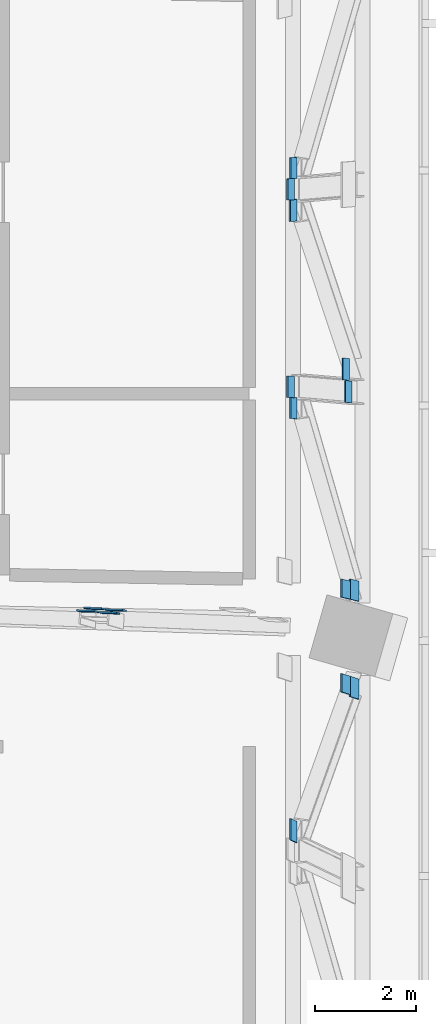
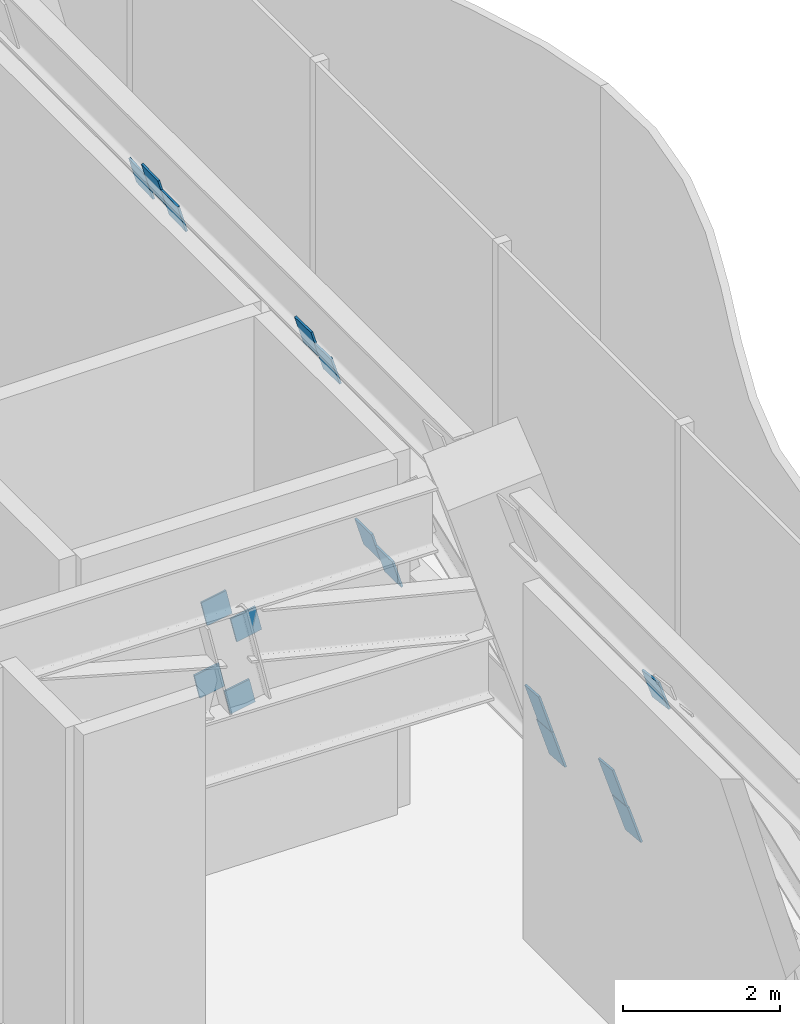
# One storey, part 22 of 32: 16 discrete accessories.
"""IFC4 building model written with IfcOpenShell, lengths in metres."""

import ifcopenshell
import ifcopenshell.guid

model = None  # the IFC model being written
_history = None  # IfcOwnerHistory: only IFC2X3 demands one
_inside = {}  # id of a spatial element -> (the spatial element, [elements in it])
_under = {}  # id of a project, library or spatial element -> (it, [spatial elements below it])
_declared = {}  # id of a project -> (the project, [libraries it declares])
_typed = {}  # id of a type object -> (the type object, [elements of that type])
_made_of = {}  # id of a material, layer set ... -> (it, [elements and type objects made of it])


def new_model(schema):
    """Start an empty IFC model of exactly this schema.

    Asked for "IFC4X3", IfcOpenShell would pick the latest addendum, in which some entities
    have other attributes; the version numbers below select the first issue.
    IFC2X3 requires an IfcOwnerHistory on every rooted entity: one is made here for all.
    """
    global model, _history
    if schema == "IFC4X3":
        model = ifcopenshell.file(schema_version=(4, 3, 0, 0))
    else:
        model = ifcopenshell.file(schema=schema)
    _inside.clear()
    _under.clear()
    _declared.clear()
    _typed.clear()
    _made_of.clear()
    _history = None
    if model.schema == "IFC2X3":
        org = make("IfcOrganization", Name="unknown")
        user = make(
            "IfcPersonAndOrganization",
            ThePerson=make("IfcPerson", FamilyName="unknown"),
            TheOrganization=org,
        )
        app = make(
            "IfcApplication",
            ApplicationDeveloper=org,
            Version="unknown",
            ApplicationFullName="unknown",
            ApplicationIdentifier="unknown",
        )
        _history = make(
            "IfcOwnerHistory",
            OwningUser=user,
            OwningApplication=app,
            ChangeAction="ADDED",
            CreationDate=0,
        )
    return model


def make(cls, **values):
    """One entity of the class cls with the attributes given. An attribute that is None is left unset."""
    return model.create_entity(
        cls, **{name: value for name, value in values.items() if value is not None}
    )


def rooted(cls, **values):
    """An entity with a GlobalId (a new one), such as an element, a storey or a relation."""
    return make(cls, GlobalId=ifcopenshell.guid.new(), OwnerHistory=_history, **values)


def si_unit(unit_type, name, prefix=None):
    """IfcSIUnit, for example si_unit("LENGTHUNIT", "METRE", prefix="MILLI")."""
    return make("IfcSIUnit", UnitType=unit_type, Prefix=prefix, Name=name)


def assignment(units):
    """IfcUnitAssignment: the units of a project."""
    return None if units is None else make("IfcUnitAssignment", Units=units)


def point(xyz):
    """IfcCartesianPoint."""
    return None if xyz is None else make("IfcCartesianPoint", Coordinates=xyz)


def direction(xyz):
    """IfcDirection."""
    return None if xyz is None else make("IfcDirection", DirectionRatios=xyz)


def frame(location, z_axis=None, x_axis=None):
    """IfcAxis2Placement3D, a coordinate frame: its origin and axes. An axis left out is left unset."""
    return make(
        "IfcAxis2Placement3D",
        Location=point(location),
        Axis=direction(z_axis),
        RefDirection=direction(x_axis),
    )


def frame_2d(location, x_axis=None):
    """IfcAxis2Placement2D, a coordinate frame in the plane: its origin and x axis."""
    return make(
        "IfcAxis2Placement2D", Location=point(location), RefDirection=direction(x_axis)
    )


def origin():
    """The frame at (0, 0, 0) with its axes left unset."""
    return frame((0.0, 0.0, 0.0))


def origin_2d():
    """The frame at (0, 0) in the plane with its x axis left unset."""
    return frame_2d((0.0, 0.0))


def place(relative_to, where):
    """IfcLocalPlacement: puts the frame where relative to a parent placement (None: the world)."""
    return make(
        "IfcLocalPlacement", PlacementRelTo=relative_to, RelativePlacement=where
    )


def context(
    kind, dimensions, precision=None, world=None, true_north=None, identifier=None
):
    """IfcGeometricRepresentationContext, for example the 3D "Model" context."""
    return make(
        "IfcGeometricRepresentationContext",
        ContextIdentifier=identifier,
        ContextType=kind,
        CoordinateSpaceDimension=dimensions,
        Precision=precision,
        WorldCoordinateSystem=world,
        TrueNorth=true_north,
    )


def subcontext(parent, identifier, kind, view, scale=None):
    """IfcGeometricRepresentationSubContext, for example "Body" below "Model"."""
    return make(
        "IfcGeometricRepresentationSubContext",
        ContextIdentifier=identifier,
        ContextType=kind,
        ParentContext=parent,
        TargetScale=scale,
        TargetView=view,
    )


def project(units=None, contexts=None):
    """IfcProject with its units and contexts."""
    return rooted(
        "IfcProject",
        Name="project",
        RepresentationContexts=contexts,
        UnitsInContext=assignment(units),
    )


def spatial(cls, under=None, at=None, **own):
    """A site, building, storey or space (cls), placed at a placement, below another one or the project."""
    s = rooted(cls, ObjectPlacement=at, **own)
    if under is not None:
        _under.setdefault(under.id(), (under, []))[1].append(s)
    return s


def profile(cls, at=None, kind="AREA", **sizes):
    """A parametric profile (cls). Its sizes go by their IFC names, for example OverallWidth=200.0."""
    return make(cls, ProfileType=kind, Position=at, **sizes)


def rectangle(**sizes):
    """IfcRectangleProfileDef."""
    return profile("IfcRectangleProfileDef", **sizes)


def extrude(swept, where, along, depth):
    """IfcExtrudedAreaSolid: the profile swept, set in the frame where, extruded along a direction by depth."""
    return make(
        "IfcExtrudedAreaSolid",
        SweptArea=swept,
        Position=where,
        ExtrudedDirection=direction(along),
        Depth=depth,
    )


def shape(context_of_items, identifier, shape_type, items):
    """IfcShapeRepresentation: the items that make up one representation, for example the "Body"."""
    return make(
        "IfcShapeRepresentation",
        ContextOfItems=context_of_items,
        RepresentationIdentifier=identifier,
        RepresentationType=shape_type,
        Items=items,
    )


def material(Name=None, Category=None):
    """IfcMaterial."""
    return make("IfcMaterial", Name=Name, Category=Category)


def layer(
    of_material, thickness, ventilated=None, Name=None, Category=None, Priority=None
):
    """IfcMaterialLayer: one layer of a wall or slab, of a material (None: an air gap)."""
    return make(
        "IfcMaterialLayer",
        Material=of_material,
        LayerThickness=thickness,
        IsVentilated=ventilated,
        Name=Name,
        Category=Category,
        Priority=Priority,
    )


def layer_set(layers, Name=None):
    """IfcMaterialLayerSet."""
    return make("IfcMaterialLayerSet", MaterialLayers=layers, LayerSetName=Name)


def made_of(thing, what):
    """Note that an element or type object is made of a material, layer set ...; save() writes the relation."""
    if what is not None:
        _made_of.setdefault(what.id(), (what, []))[1].append(thing)
    return thing


def type_object(cls, material=None, **own):
    """A type object (cls), such as IfcWallType, which elements share."""
    return made_of(rooted(cls, **own), material)


def element(
    cls,
    number,
    at=None,
    inside=None,
    cuts=None,
    type_object=None,
    material=None,
    context=None,
    identifier="Body",
    shape_type=None,
    held_by="IfcProductDefinitionShape",
    body=None,
    shapes=None,
    **own,
):
    """One element of the class cls, such as IfcWall. Its Tag is "e" and its number.

    at: its placement. inside: the storey or other place that contains it. cuts: it is an
    opening in that element (IfcRelVoidsElement). A single representation is given by context,
    identifier, shape_type and body (its items); several are given by shapes. held_by: the class
    of the entity that holds the representations. save() writes the other relations.
    """
    e = rooted(cls, Tag="e%d" % number, ObjectPlacement=at, **own)
    if body is not None:
        shapes = [shape(context, identifier, shape_type, body)]
    if shapes is not None:
        e.Representation = make(held_by, Representations=shapes)
    if inside is not None:
        _inside.setdefault(inside.id(), (inside, []))[1].append(e)
    if cuts is not None:
        rooted(
            "IfcRelVoidsElement", RelatingBuildingElement=cuts, RelatedOpeningElement=e
        )
    if type_object is not None:
        _typed.setdefault(type_object.id(), (type_object, []))[1].append(e)
    return made_of(e, material)


def aggregate(whole, parts):
    """IfcRelAggregates: a whole, such as a stair, and the parts it consists of."""
    return rooted("IfcRelAggregates", RelatingObject=whole, RelatedObjects=parts)


def save(model, path):
    """Write the relations noted so far, then the file.

    IfcRelAggregates (storeys below a building ...), IfcRelContainedInSpatialStructure (elements
    in a storey), IfcRelDefinesByType, IfcRelAssociatesMaterial and IfcRelDeclares: one each for
    every whole, place, type object, material and project.
    """
    for whole, parts in _under.values():
        aggregate(whole, parts)
    for where, things in _inside.values():
        rooted(
            "IfcRelContainedInSpatialStructure",
            RelatedElements=things,
            RelatingStructure=where,
        )
    for kind, things in _typed.values():
        rooted("IfcRelDefinesByType", RelatedObjects=things, RelatingType=kind)
    for what, things in _made_of.values():
        rooted("IfcRelAssociatesMaterial", RelatedObjects=things, RelatingMaterial=what)
    for by, libraries in _declared.values():
        rooted("IfcRelDeclares", RelatingContext=by, RelatedDefinitions=libraries)
    model.write(path)


model = new_model("IFC4")

# Units and contexts
model_context = context("Model", 3, precision=1e-05, world=origin(), true_north=direction((0.0, 1.0)))
body_context = subcontext(model_context, "Body", "Model", "MODEL_VIEW")
ifc_project = project(units=[si_unit("LENGTHUNIT", "METRE"), si_unit("AREAUNIT", "SQUARE_METRE"), si_unit("VOLUMEUNIT", "CUBIC_METRE"), si_unit("PLANEANGLEUNIT", "RADIAN"), si_unit("MASSUNIT", "GRAM", prefix="KILO")], contexts=[model_context])

# Site, building, storey
site_placement = place(None, origin())
site = spatial("IfcSite", under=ifc_project, at=site_placement, CompositionType="ELEMENT")
building_placement = place(site_placement, origin())
building = spatial("IfcBuilding", under=site, at=building_placement, Name="Mopane Tessera Tower", CompositionType="ELEMENT")
storey_placement = place(building_placement, frame((0.0, 0.0, 88.60009765625)))
storey = spatial("IfcBuildingStorey", under=building, at=storey_placement, Name="L17", CompositionType="ELEMENT", Elevation=88.60009765625)

# Discrete accessories
ifc_material = material(Name="Structural steel S460", Category="steel")
ifc_layer = layer(ifc_material, 0.030029296875)
ifc_layer_set = layer_set([ifc_layer], Name="Structural steel S460")
discrete_accessory_type = type_object("IfcDiscreteAccessoryType", Name="Truss node plate 30 mm", PredefinedType="BRACKET", material=ifc_layer_set)
discrete_accessory_1_placement = place(storey_placement, frame((24.2578125, -6.424072265625, 3.30126953125), z_axis=(-0.194937042554, 0.055416885007, 0.97924895624), x_axis=(0.041294831885, 0.997980986414, -0.048256477438)))
element("IfcDiscreteAccessory", 1, at=discrete_accessory_1_placement, inside=storey, type_object=discrete_accessory_type, Name="Truss node plate s ot L17 E1 11", PredefinedType="BRACKET", context=body_context, shape_type="SweptSolid", body=[
    extrude(rectangle(XDim=0.030029296875, YDim=0.36669921875, at=origin_2d()), origin(), (0.0, 0.0, 1.0), 0.37451171875),
])
discrete_accessory_2_placement = place(storey_placement, frame((24.69189453125, -6.456787109375, 2.924560546875), z_axis=(-0.201167185437, 0.057941357618, 0.977841788113), x_axis=(0.045412794113, 0.997727377512, -0.04977708603)))
element("IfcDiscreteAccessory", 2, at=discrete_accessory_2_placement, inside=storey, type_object=discrete_accessory_type, Name="Truss node plate s ot L17 E1 12", PredefinedType="BRACKET", context=body_context, shape_type="SweptSolid", body=[
    extrude(rectangle(XDim=0.030029296875, YDim=0.36669921875, at=origin_2d()), origin(), (0.0, 0.0, 1.0), 0.375),
])
discrete_accessory_3_placement = place(storey_placement, frame((24.396728515625, -6.372314453125, 4.356689453125), z_axis=(-0.201612073021, 0.057327394565, 0.977786347749), x_axis=(0.042030756872, 0.997872500574, -0.049838620323)))
element("IfcDiscreteAccessory", 3, at=discrete_accessory_3_placement, inside=storey, type_object=discrete_accessory_type, Name="Truss node plate s ot L17 E1 13", PredefinedType="BRACKET", context=body_context, shape_type="SweptSolid", body=[
    extrude(rectangle(XDim=0.030029296875, YDim=0.37060546875, at=origin_2d()), origin(), (0.0, 0.0, 1.0), 0.37890625),
])
discrete_accessory_4_placement = place(storey_placement, frame((24.8154296875, -6.403564453125, 3.97607421875), z_axis=(-0.208371374654, 0.059167180457, 0.976258477547), x_axis=(0.042356308356, 0.997777933374, -0.051430913019)))
element("IfcDiscreteAccessory", 4, at=discrete_accessory_4_placement, inside=storey, type_object=discrete_accessory_type, Name="Truss node plate s ot L17 E1 14", PredefinedType="BRACKET", context=body_context, shape_type="SweptSolid", body=[
    extrude(rectangle(XDim=0.030029296875, YDim=0.37060546875, at=origin_2d()), origin(), (0.0, 0.0, 1.0), 0.379638671875),
])
discrete_accessory_5_placement = place(storey_placement, frame((28.36669921875, -10.79736328125, 4.34326171875), z_axis=(-0.277432944586, 0.128962970335, 0.952050163353), x_axis=(-0.960745001671, -0.037183736039, -0.27492983021)))
element("IfcDiscreteAccessory", 5, at=discrete_accessory_5_placement, inside=storey, type_object=discrete_accessory_type, Name="Truss node plate s bt L17 E0-E1 10", PredefinedType="BRACKET", context=body_context, shape_type="SweptSolid", body=[
    extrude(rectangle(XDim=0.030029296875, YDim=0.428955078125, at=origin_2d()), origin(), (0.0, 0.0, 1.0), 0.450439453125),
])
discrete_accessory_6_placement = place(storey_placement, frame((29.5986328125, -7.962158203125, 0.119384765625), z_axis=(-0.278886741167, 0.09093250367, 0.956009134568), x_axis=(-0.960323839916, -0.025832219806, -0.277688348529)))
element("IfcDiscreteAccessory", 6, at=discrete_accessory_6_placement, inside=storey, type_object=discrete_accessory_type, Name="Truss node plate s bt L17 E0-E1 12", PredefinedType="BRACKET", context=body_context, shape_type="SweptSolid", body=[
    extrude(rectangle(XDim=0.030029296875, YDim=0.403564453125, at=origin_2d()), origin(), (0.0, 0.0, 1.0), 0.601318359375),
])
discrete_accessory_7_placement = place(storey_placement, frame((29.427978515625, -7.888916015625, 0.704345703125), z_axis=(-0.278788808288, 0.090494766009, 0.956079231915), x_axis=(-0.960352428845, -0.026387708143, -0.277537207004)))
element("IfcDiscreteAccessory", 7, at=discrete_accessory_7_placement, inside=storey, type_object=discrete_accessory_type, Name="Truss node plate s bt L17 E0-E1 13", PredefinedType="BRACKET", context=body_context, shape_type="SweptSolid", body=[
    extrude(rectangle(XDim=0.030029296875, YDim=0.367919921875, at=origin_2d()), origin(), (0.0, 0.0, 1.0), 0.6015625),
])
discrete_accessory_8_placement = place(storey_placement, frame((29.427490234375, -5.997314453125, 0.706298828125), z_axis=(-0.279393886163, 0.06904097476, 0.957691182051), x_axis=(-0.960176546557, -0.019844248642, -0.278688365809)))
element("IfcDiscreteAccessory", 8, at=discrete_accessory_8_placement, inside=storey, type_object=discrete_accessory_type, Name="Truss node plate s bt L17 E1-E2 0", PredefinedType="BRACKET", context=body_context, shape_type="SweptSolid", body=[
    extrude(rectangle(XDim=0.030029296875, YDim=0.360595703125, at=origin_2d()), origin(), (0.0, 0.0, 1.0), 0.604736328125),
])
discrete_accessory_9_placement = place(storey_placement, frame((29.599365234375, -6.01806640625, 0.117431640625), z_axis=(-0.279509732978, 0.068665685847, 0.95768435967), x_axis=(-0.960142816393, -0.020285656239, -0.278772782532)))
element("IfcDiscreteAccessory", 9, at=discrete_accessory_9_placement, inside=storey, type_object=discrete_accessory_type, Name="Truss node plate s bt L17 E1-E2 1", PredefinedType="BRACKET", context=body_context, shape_type="SweptSolid", body=[
    extrude(rectangle(XDim=0.030029296875, YDim=0.403564453125, at=origin_2d()), origin(), (0.0, 0.0, 1.0), 0.6044921875),
])
discrete_accessory_10_placement = place(storey_placement, frame((28.3671875, -2.385498046875, 4.34130859375), z_axis=(-0.27984279156, 0.02864532512, 0.959618391529), x_axis=(-0.960045788672, -0.008671824644, -0.279708568177)))
element("IfcDiscreteAccessory", 10, at=discrete_accessory_10_placement, inside=storey, type_object=discrete_accessory_type, Name="Truss node plate s bt L17 E1-E2 3", PredefinedType="BRACKET", context=body_context, shape_type="SweptSolid", body=[
    extrude(rectangle(XDim=0.030029296875, YDim=0.42529296875, at=origin_2d()), origin(), (0.0, 0.0, 1.0), 0.443115234375),
])
discrete_accessory_11_placement = place(storey_placement, frame((29.459716796875, -2.0634765625, 0.59619140625), z_axis=(-0.280393163444, 0.024218219491, 0.959579674513), x_axis=(-0.959883984143, -0.005457327288, -0.280344349978)))
element("IfcDiscreteAccessory", 11, at=discrete_accessory_11_placement, inside=storey, type_object=discrete_accessory_type, Name="Truss node plate s bt L17 E1-E2 4", PredefinedType="BRACKET", context=body_context, shape_type="SweptSolid", body=[
    extrude(rectangle(XDim=0.030029296875, YDim=0.435302734375, at=origin_2d()), origin(), (0.0, 0.0, 1.0), 0.45361328125),
])
discrete_accessory_12_placement = place(storey_placement, frame((28.314208984375, -1.96630859375, 4.523193359375), z_axis=(-0.27987910234, 0.023690553938, 0.959742906057), x_axis=(-0.960035237562, -0.007088996716, -0.279789364996)))
element("IfcDiscreteAccessory", 12, at=discrete_accessory_12_placement, inside=storey, type_object=discrete_accessory_type, Name="Truss node plate s bt L17 E1-E2 5", PredefinedType="BRACKET", context=body_context, shape_type="SweptSolid", body=[
    extrude(rectangle(XDim=0.030029296875, YDim=0.42529296875, at=origin_2d()), origin(), (0.0, 0.0, 1.0), 0.443115234375),
])
for number, where, z_axis, x_axis, name in (
    (13, (29.40966796875, -1.61572265625, 0.767578125), (-0.279929623938, 0.018841416996, 0.959835614388), (-0.960020231529, -0.004714082816, -0.279890929611), "Truss node plate s bt L17 E1-E2 6"),
    (14, (28.36572265625, 1.546142578125, 4.346923828125), (-0.279932422697, -0.018303273792, 0.959845210902), (-0.960018999193, 0.006551549645, -0.279858175486), "Truss node plate s bt L17 E1-E2 7"),
):
    element("IfcDiscreteAccessory", number, at=place(storey_placement, frame(where, z_axis=z_axis, x_axis=x_axis)), inside=storey, type_object=discrete_accessory_type, Name=name, PredefinedType="BRACKET", context=body_context, shape_type="SweptSolid", body=[
        extrude(rectangle(XDim=0.030029296875, YDim=0.435302734375, at=origin_2d()), origin(), (0.0, 0.0, 1.0), 0.45361328125),
    ])
for number, where, z_axis, x_axis, name in (
    (15, (28.314208984375, 1.96630859375, 4.523193359375), (-0.27987910234, -0.023690553938, 0.959742906057), (-0.960035237562, 0.007088996716, -0.279789364996), "Truss node plate s bt L17 E1-E2 9"),
    (16, (28.3671875, 2.385498046875, 4.34130859375), (-0.27984279156, -0.02864532512, 0.959618391529), (-0.960045788672, 0.008671824644, -0.279708568177), "Truss node plate s bt L17 E1-E2 10"),
):
    element("IfcDiscreteAccessory", number, at=place(storey_placement, frame(where, z_axis=z_axis, x_axis=x_axis)), inside=storey, type_object=discrete_accessory_type, Name=name, PredefinedType="BRACKET", context=body_context, shape_type="SweptSolid", body=[
        extrude(rectangle(XDim=0.030029296875, YDim=0.42529296875, at=origin_2d()), origin(), (0.0, 0.0, 1.0), 0.443115234375),
    ])

save(model, "model.ifc")
